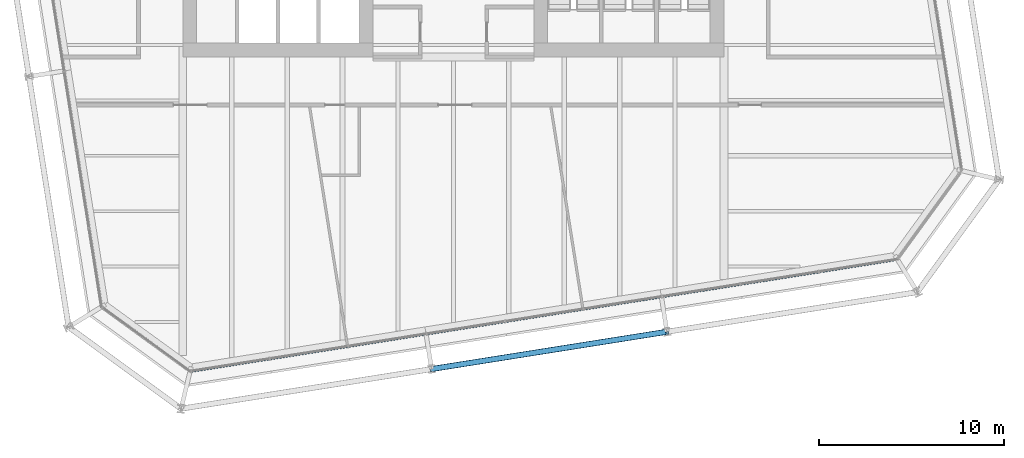
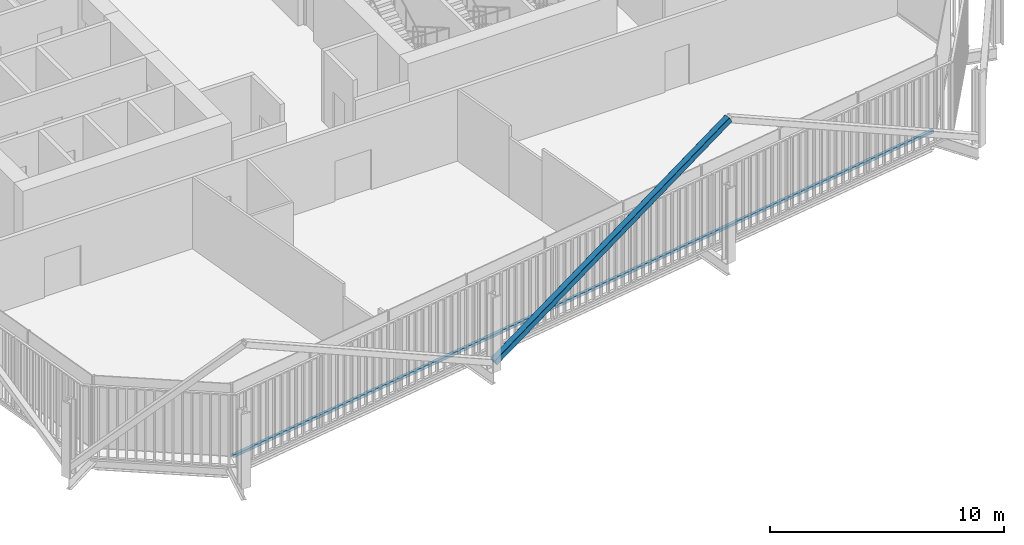
# One storey, part 7 of 22: 2 members, 1 element without a shape of its own.
"""IFC4 building model written with IfcOpenShell, lengths in metres."""

from ifc_helpers import new_model, si_unit, direction, frame, origin, origin_2d, place, context, subcontext, project, spatial, rectangle, hollow_rectangle, extrude, material, layer, layer_set, material_profile, profile_set, type_object, element, aggregate, save


model = new_model("IFC4")

# Units and contexts
model_context = context("Model", 3, precision=1e-05, world=origin(), true_north=direction((0.0, 1.0)))
body_context = subcontext(model_context, "Body", "Model", "MODEL_VIEW")
ifc_project = project(units=[si_unit("LENGTHUNIT", "METRE"), si_unit("AREAUNIT", "SQUARE_METRE"), si_unit("VOLUMEUNIT", "CUBIC_METRE"), si_unit("PLANEANGLEUNIT", "RADIAN"), si_unit("MASSUNIT", "GRAM", prefix="KILO")], contexts=[model_context])

# Site, building, storey
site_placement = place(None, origin())
site = spatial("IfcSite", under=ifc_project, at=site_placement, CompositionType="ELEMENT")
building_placement = place(site_placement, origin())
building = spatial("IfcBuilding", under=site, at=building_placement, Name="Millrace Tower", CompositionType="ELEMENT")
storey_placement = place(building_placement, frame((0.0, 0.0, 180.0)))
storey = spatial("IfcBuildingStorey", under=building, at=storey_placement, Name="L40", CompositionType="ELEMENT", Elevation=180.0)

# Curtain wall, member
ifc_material_1 = material(Name="Aluminium and glass", Category="aluminium")
ifc_layer = layer(ifc_material_1, 0.14990234375)
ifc_layer_set = layer_set([ifc_layer], Name="Aluminium and glass")
curtain_wall_type = type_object("IfcCurtainWallType", Name="CW-1 office vision curtain wall", PredefinedType="NOTDEFINED", material=ifc_layer_set)
curtain_wall_placement = place(storey_placement, origin())
curtain_wall = element("IfcCurtainWall", 1, at=curtain_wall_placement, inside=storey, type_object=curtain_wall_type, Name="Curtain wall C-F02 L40", PredefinedType="NOTDEFINED")
ifc_material_2 = material(Name="Aluminium", Category="aluminium")
ifc_material_profile_1 = material_profile(ifc_material_2, rectangle(XDim=0.14990234375, YDim=0.139892578125, at=origin_2d()))
ifc_profile_set_1 = profile_set([ifc_material_profile_1], Name="Aluminium")
member_type_1 = type_object("IfcMemberType", Name="CW-1 office vision curtain wall transom", PredefinedType="USERDEFINED", material=ifc_profile_set_1)
member_1_placement = place(storey_placement, frame((-14.125, -26.64599609375, 0.070068359375), z_axis=(0.987688350509, 0.156434402447, 0.0), x_axis=(-0.156434402447, 0.987688350509, 0.0)))
member_1 = element("IfcMember", 2, at=member_1_placement, type_object=member_type_1, Name="CW1 transom C-F02.1", ObjectType="TRANSOM", PredefinedType="USERDEFINED", context=body_context, shape_type="SweptSolid", body=[
    extrude(rectangle(XDim=0.14990234375, YDim=0.139892578125, at=origin_2d()), origin(), (0.0, 0.0, 1.0), 38.499755859375),
])
aggregate(curtain_wall, [member_1])

# Member
ifc_material_3 = material(Name="Steel ASTM A500 Grade C", Category="steel")
ifc_material_profile_2 = material_profile(ifc_material_3, hollow_rectangle(XDim=0.3046875, YDim=0.3046875, WallThickness=0.0126953125, InnerFilletRadius=0.00634765625, OuterFilletRadius=0.01904296875, at=origin_2d()))
ifc_profile_set_2 = profile_set([ifc_material_profile_2], Name="Steel ASTM A500 Grade C")
member_type_2 = type_object("IfcMemberType", Name="Exoskeleton brace HSS12x12x1/2", PredefinedType="BRACE", material=ifc_profile_set_2)
member_2_placement = place(storey_placement, frame((-1.181396484375, -26.545166015625, 0.39990234375), z_axis=(0.868109818913, 0.137501595477, 0.476947223022), x_axis=(-0.156441687909, 0.987687196578, 0.0)))
element("IfcMember", 3, at=member_2_placement, inside=storey, type_object=member_type_2, Name="BRC-C-L40-03", PredefinedType="BRACE", context=body_context, shape_type="SweptSolid", body=[
    extrude(hollow_rectangle(XDim=0.3046875, YDim=0.3046875, WallThickness=0.0126953125, InnerFilletRadius=0.00634765625, OuterFilletRadius=0.01904296875, at=origin_2d()), origin(), (0.0, 0.0, 1.0), 14.6767578125),
])

save(model, "model.ifc")
